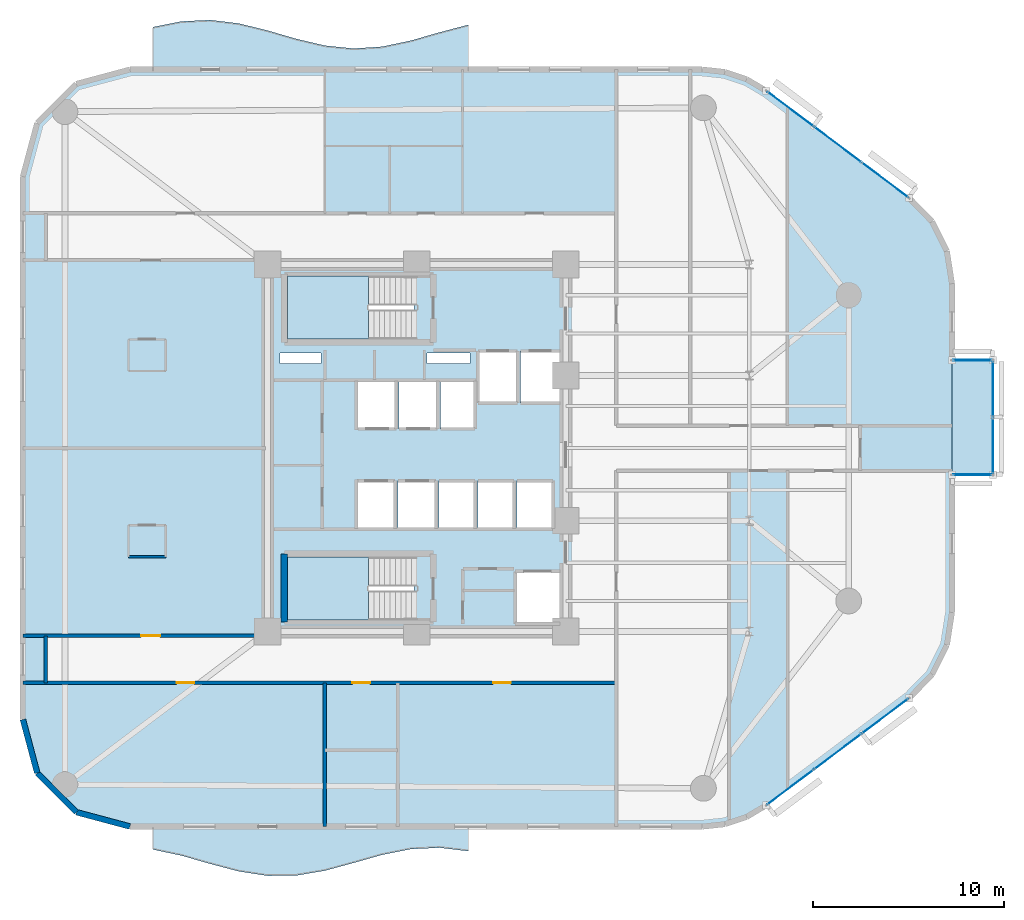
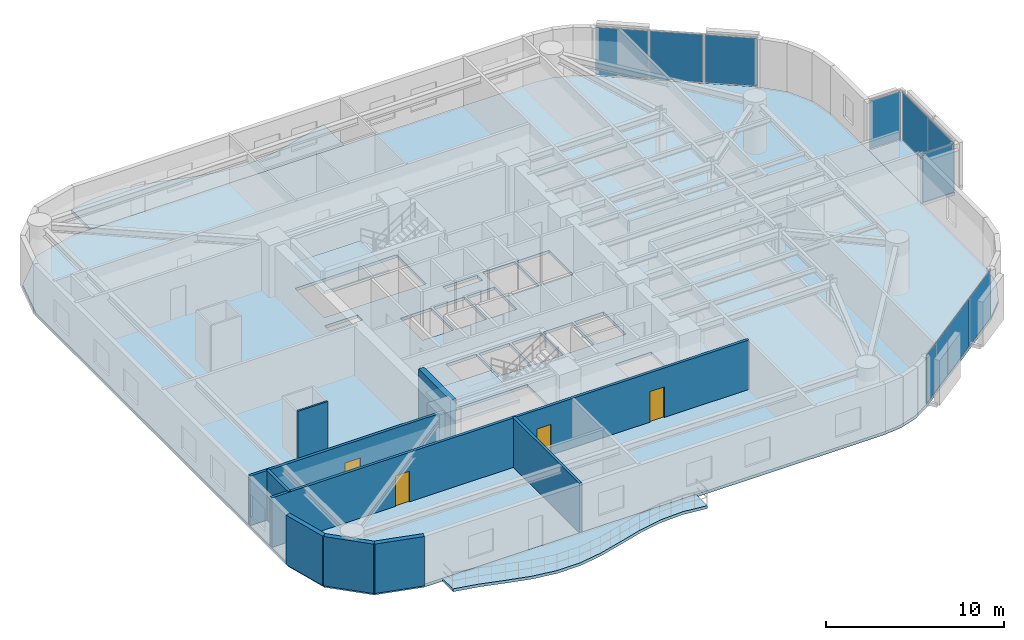
# One storey, part 7 of 14: 10 plates, 9 walls, 6 slabs, 4 doors, 4 openings, 7 elements without a shape of their own.
"""IFC4 building model written with IfcOpenShell, lengths in metres."""

from ifc_helpers import new_model, si_unit, direction, frame, frame_2d, origin, origin_2d, place, context, subcontext, project, spatial, polyline, rectangle, outline, extrude, material, layer, layer_set, type_object, element, fill, aggregate, save


model = new_model("IFC4")

# Units and contexts
model_context = context("Model", 3, precision=1e-05, world=origin(), true_north=direction((0.0, 1.0)))
body_context = subcontext(model_context, "Body", "Model", "MODEL_VIEW")
ifc_project = project(units=[si_unit("LENGTHUNIT", "METRE"), si_unit("AREAUNIT", "SQUARE_METRE"), si_unit("VOLUMEUNIT", "CUBIC_METRE"), si_unit("PLANEANGLEUNIT", "RADIAN"), si_unit("MASSUNIT", "GRAM", prefix="KILO")], contexts=[model_context])

# Site, building, storey
site_placement = place(None, origin())
site = spatial("IfcSite", under=ifc_project, at=site_placement, CompositionType="ELEMENT")
building_placement = place(site_placement, origin())
building = spatial("IfcBuilding", under=site, at=building_placement, Name="An Khanh Terracotta Commons", CompositionType="ELEMENT")
storey_placement = place(building_placement, frame((0.0, 0.0, 115.10009765625)))
storey = spatial("IfcBuildingStorey", under=building, at=storey_placement, Name="L30", CompositionType="ELEMENT", Elevation=115.10009765625)

# Curtain wall, plates
ifc_material_1 = material(Name="Anodised Aluminium 6063-T6", Category="aluminium")
ifc_layer_1 = layer(ifc_material_1, 0.199951171875, Name="Anodised Aluminium 6063-T6")
ifc_layer_set_1 = layer_set([ifc_layer_1], Name="Anodised Aluminium 6063-T6")
curtain_wall_type_1 = type_object("IfcCurtainWallType", Name="CW-SYS-02", PredefinedType="USERDEFINED", material=ifc_layer_set_1)
curtain_wall_1_placement = place(storey_placement, origin())
curtain_wall_1 = element("IfcCurtainWall", 1, at=curtain_wall_1_placement, inside=storey, type_object=curtain_wall_type_1, Name="L30 CW-02 Unitised Curtain Wall CW-L30-08", ObjectType="UNITISED CURTAIN WALL", PredefinedType="USERDEFINED")
ifc_material_2 = material(Name="Double Low-E Solar Control Glazing", Category="glass")
ifc_layer_2 = layer(ifc_material_2, 0.028076171875, Name="Double Low-E Solar Control Glazing")
ifc_layer_set_2 = layer_set([ifc_layer_2], Name="Double Low-E Solar Control Glazing")
plate_type_1 = type_object("IfcPlateType", Name="CWP-IGU-28", PredefinedType="CURTAIN_PANEL", material=ifc_layer_set_2)
plate_1_placement = place(storey_placement, frame((48.951416015625, 6.263916015625, 0.06005859375), z_axis=(0.0, 0.0, 1.0), x_axis=(0.800012856594, 0.599982857492, 0.0)))
plate_1 = element("IfcPlate", 2, at=plate_1_placement, type_object=plate_type_1, Name="CW-02 panel 1.1", PredefinedType="CURTAIN_PANEL", context=body_context, shape_type="SweptSolid", body=[
    extrude(rectangle(XDim=3.006103515625, YDim=0.028076171875, at=origin_2d()), origin(), (0.0, 0.0, 1.0), 3.280029296875),
])
plate_2_placement = place(storey_placement, frame((51.426513671875, 8.1201171875, 0.06005859375), z_axis=(0.0, 0.0, 1.0), x_axis=(0.800012856594, 0.599982857492, 0.0)))
plate_2 = element("IfcPlate", 3, at=plate_2_placement, type_object=plate_type_1, Name="CW-02 panel 2.1", PredefinedType="CURTAIN_PANEL", context=body_context, shape_type="SweptSolid", body=[
    extrude(rectangle(XDim=3.041259765625, YDim=0.028076171875, at=origin_2d()), origin(), (0.0, 0.0, 1.0), 3.280029296875),
])
plate_3_placement = place(storey_placement, frame((53.901611328125, 9.97607421875, 0.06005859375), z_axis=(0.0, 0.0, 1.0), x_axis=(0.800012856594, 0.599982857492, 0.0)))
plate_3 = element("IfcPlate", 4, at=plate_3_placement, type_object=plate_type_1, Name="CW-02 panel 3.1", PredefinedType="CURTAIN_PANEL", context=body_context, shape_type="SweptSolid", body=[
    extrude(rectangle(XDim=3.006103515625, YDim=0.028076171875, at=origin_2d()), origin(), (0.0, 0.0, 1.0), 3.280029296875),
])
aggregate(curtain_wall_1, [plate_1, plate_2, plate_3])

curtain_wall_2_placement = place(storey_placement, origin())
curtain_wall_2 = element("IfcCurtainWall", 5, at=curtain_wall_2_placement, inside=storey, type_object=curtain_wall_type_1, Name="L30 CW-02 Unitised Curtain Wall CW-L30-16", ObjectType="UNITISED CURTAIN WALL", PredefinedType="USERDEFINED")
plate_4_placement = place(storey_placement, frame((53.901611328125, 38.02392578125, 0.06005859375), z_axis=(0.0, 0.0, 1.0), x_axis=(-0.800012856594, 0.599982857492, 0.0)))
plate_4 = element("IfcPlate", 6, at=plate_4_placement, type_object=plate_type_1, Name="CW-02 panel 1.1", PredefinedType="CURTAIN_PANEL", context=body_context, shape_type="SweptSolid", body=[
    extrude(rectangle(XDim=3.006103515625, YDim=0.028076171875, at=origin_2d()), origin(), (0.0, 0.0, 1.0), 3.280029296875),
])
plate_5_placement = place(storey_placement, frame((51.426513671875, 39.8798828125, 0.06005859375), z_axis=(0.0, 0.0, 1.0), x_axis=(-0.800012856594, 0.599982857492, 0.0)))
plate_5 = element("IfcPlate", 7, at=plate_5_placement, type_object=plate_type_1, Name="CW-02 panel 2.1", PredefinedType="CURTAIN_PANEL", context=body_context, shape_type="SweptSolid", body=[
    extrude(rectangle(XDim=3.041259765625, YDim=0.028076171875, at=origin_2d()), origin(), (0.0, 0.0, 1.0), 3.280029296875),
])
plate_6_placement = place(storey_placement, frame((48.951416015625, 41.736083984375, 0.06005859375), z_axis=(0.0, 0.0, 1.0), x_axis=(-0.800012856594, 0.599982857492, 0.0)))
plate_6 = element("IfcPlate", 8, at=plate_6_placement, type_object=plate_type_1, Name="CW-02 panel 3.1", PredefinedType="CURTAIN_PANEL", context=body_context, shape_type="SweptSolid", body=[
    extrude(rectangle(XDim=3.006103515625, YDim=0.028076171875, at=origin_2d()), origin(), (0.0, 0.0, 1.0), 3.280029296875),
])
aggregate(curtain_wall_2, [plate_4, plate_5, plate_6])

ifc_layer_3 = layer(ifc_material_1, 0.239990234375, Name="Anodised Aluminium 6063-T6")
ifc_layer_set_3 = layer_set([ifc_layer_3], Name="Anodised Aluminium 6063-T6")
curtain_wall_type_2 = type_object("IfcCurtainWallType", Name="CW-SYS-04", PredefinedType="USERDEFINED", material=ifc_layer_set_3)
curtain_wall_3_placement = place(storey_placement, origin())
curtain_wall_3 = element("IfcCurtainWall", 9, at=curtain_wall_3_placement, inside=storey, type_object=curtain_wall_type_2, Name="L30 CW-04 Unitised Curtain Wall CW-L30-EBOX-1", ObjectType="UNITISED CURTAIN WALL", PredefinedType="USERDEFINED")
ifc_material_3 = material(Name="Triple-Silver Sky-Lobby Glazing", Category="glass")
ifc_layer_4 = layer(ifc_material_3, 0.0400390625, Name="Triple-Silver Sky-Lobby Glazing")
ifc_layer_set_4 = layer_set([ifc_layer_4], Name="Triple-Silver Sky-Lobby Glazing")
plate_type_2 = type_object("IfcPlateType", Name="CWP-IGU-40", PredefinedType="CURTAIN_PANEL", material=ifc_layer_set_4)
plate_7_placement = place(storey_placement, frame((59.550048828125, 24.1162109375, 0.06005859375), z_axis=(0.0, 0.0, 1.0), x_axis=(0.0, 1.0, 0.0)))
plate_7 = element("IfcPlate", 10, at=plate_7_placement, type_object=plate_type_2, Name="CW-04 panel 1.1", PredefinedType="CURTAIN_PANEL", context=body_context, shape_type="SweptSolid", body=[
    extrude(rectangle(XDim=2.902587890625, YDim=0.0400390625, at=origin_2d()), origin(), (0.0, 0.0, 1.0), 3.280029296875),
])
plate_8_placement = place(storey_placement, frame((59.550048828125, 27.083740234375, 0.06005859375), z_axis=(0.0, 0.0, 1.0), x_axis=(0.0, 1.0, 0.0)))
plate_8 = element("IfcPlate", 11, at=plate_8_placement, type_object=plate_type_2, Name="CW-04 panel 2.1", PredefinedType="CURTAIN_PANEL", context=body_context, shape_type="SweptSolid", body=[
    extrude(rectangle(XDim=2.902587890625, YDim=0.0400390625, at=origin_2d()), origin(), (0.0, 0.0, 1.0), 3.280029296875),
])
aggregate(curtain_wall_3, [plate_7, plate_8])

# Curtain wall, plate
curtain_wall_4_placement = place(storey_placement, origin())
curtain_wall_4 = element("IfcCurtainWall", 12, at=curtain_wall_4_placement, inside=storey, type_object=curtain_wall_type_2, Name="L30 CW-04 Unitised Curtain Wall CW-L30-EBOX-2", ObjectType="UNITISED CURTAIN WALL", PredefinedType="USERDEFINED")
plate_9_placement = place(storey_placement, frame((58.47509765625, 22.60009765625, 0.06005859375), z_axis=(0.0, 0.0, 1.0), x_axis=(1.0, 0.0, 0.0)))
plate_9 = element("IfcPlate", 13, at=plate_9_placement, type_object=plate_type_2, Name="CW-04 panel 1.1", PredefinedType="CURTAIN_PANEL", context=body_context, shape_type="SweptSolid", body=[
    extrude(rectangle(XDim=2.02001953125, YDim=0.0400390625, at=origin_2d()), origin(), (0.0, 0.0, 1.0), 3.280029296875),
])
aggregate(curtain_wall_4, [plate_9])

curtain_wall_5_placement = place(storey_placement, origin())
curtain_wall_5 = element("IfcCurtainWall", 14, at=curtain_wall_5_placement, inside=storey, type_object=curtain_wall_type_2, Name="L30 CW-04 Unitised Curtain Wall CW-L30-EBOX-3", ObjectType="UNITISED CURTAIN WALL", PredefinedType="USERDEFINED")
plate_10_placement = place(storey_placement, frame((58.47509765625, 28.60009765625, 0.06005859375), z_axis=(0.0, 0.0, 1.0), x_axis=(-1.0, 0.0, 0.0)))
plate_10 = element("IfcPlate", 15, at=plate_10_placement, type_object=plate_type_2, Name="CW-04 panel 1.1", PredefinedType="CURTAIN_PANEL", context=body_context, shape_type="SweptSolid", body=[
    extrude(rectangle(XDim=2.02001953125, YDim=0.0400390625, at=origin_2d()), origin(), (0.0, 0.0, 1.0), 3.280029296875),
])
aggregate(curtain_wall_5, [plate_10])

# Slabs
ifc_material_4 = material(Name="Concrete C40/50", Category="concrete")
ifc_layer_5 = layer(ifc_material_4, 0.199951171875, Name="Concrete C40/50")
ifc_layer_set_5 = layer_set([ifc_layer_5], Name="Concrete C40/50")
slab_type_1 = type_object("IfcSlabType", Name="SLAB-BALC-200", PredefinedType="FLOOR", material=ifc_layer_set_5)
slab_1_placement = place(storey_placement, frame((0.0, 0.0, -0.2001953125)))
element("IfcSlab", 16, at=slab_1_placement, inside=storey, type_object=slab_type_1, Name="L30 S Sinusoidal Wave Balcony Slab", PredefinedType="FLOOR", context=body_context, shape_type="SweptSolid", body=[
    extrude(outline(polyline([(15.60009765625, 4.199951171875), (15.60009765625, 3.0), (17.10009765625, 2.681884765625), (18.60009765625, 2.251953125), (20.10009765625, 1.85498046875), (21.60009765625, 1.6259765625), (23.10009765625, 1.639892578125), (24.60009765625, 1.89306640625), (26.10009765625, 2.301025390625), (27.60009765625, 2.72509765625), (29.10009765625, 3.02294921875), (30.60009765625, 3.093994140625), (32.10009765625, 2.9140625), (32.10009765625, 4.199951171875), (15.60009765625, 4.199951171875)])), origin(), (0.0, 0.0, 1.0), 0.2001953125),
])
slab_2_placement = place(storey_placement, frame((0.0, 0.0, -0.2001953125)))
element("IfcSlab", 17, at=slab_2_placement, inside=storey, type_object=slab_type_1, Name="L30 N Sinusoidal Wave Balcony Slab", PredefinedType="FLOOR", context=body_context, shape_type="SweptSolid", body=[
    extrude(outline(polyline([(32.10009765625, 43.800048828125), (32.10009765625, 46.14501953125), (30.60009765625, 45.748046875), (29.10009765625, 45.318115234375), (27.60009765625, 45.0), (26.10009765625, 44.902099609375), (24.60009765625, 45.054931640625), (23.10009765625, 45.408935546875), (21.60009765625, 45.843994140625), (20.10009765625, 46.214111328125), (18.60009765625, 46.39404296875), (17.10009765625, 46.322998046875), (15.60009765625, 46.02490234375), (15.60009765625, 43.800048828125), (32.10009765625, 43.800048828125)])), origin(), (0.0, 0.0, 1.0), 0.2001953125),
])

# Stair, slab
ifc_material_5 = material(Name="Precast concrete C40/50", Category="concrete")
stair_type = type_object("IfcStairType", Name="STAIR-CORE-1550", PredefinedType="HALF_TURN_STAIR", material=ifc_material_5)
stair_1_placement = place(storey_placement, origin())
stair_1 = element("IfcStair", 18, at=stair_1_placement, inside=storey, type_object=stair_type, Name="L30 Core Smokeproof Exit Stair ST-01", PredefinedType="HALF_TURN_STAIR")
ifc_layer_6 = layer(ifc_material_4, 0.18994140625, Name="Concrete C40/50")
ifc_layer_set_6 = layer_set([ifc_layer_6], Name="Concrete C40/50")
slab_type_2 = type_object("IfcSlabType", Name="SLAB-LANDING-190", PredefinedType="LANDING", material=ifc_layer_set_6)
slab_3_placement = place(storey_placement, frame((0.0, 0.0, 1.599853515625)))
slab_3 = element("IfcSlab", 19, at=slab_3_placement, type_object=slab_type_2, Name="ST-01 landing 1", PredefinedType="LANDING", context=body_context, shape_type="SweptSolid", body=[
    extrude(outline(polyline([(26.889892578125, 33.0), (22.64990234375, 33.0), (22.64990234375, 29.699951171875), (26.889892578125, 29.699951171875), (26.889892578125, 33.0)])), origin(), (0.0, 0.0, 1.0), 0.199951171875),
])
aggregate(stair_1, [slab_3])

stair_2_placement = place(storey_placement, origin())
stair_2 = element("IfcStair", 20, at=stair_2_placement, inside=storey, type_object=stair_type, Name="L30 Core Smokeproof Exit Stair ST-02", PredefinedType="HALF_TURN_STAIR")
slab_4_placement = place(storey_placement, frame((0.0, 0.0, 1.599853515625)))
slab_4 = element("IfcSlab", 21, at=slab_4_placement, type_object=slab_type_2, Name="ST-02 landing 1", PredefinedType="LANDING", context=body_context, shape_type="SweptSolid", body=[
    extrude(outline(polyline([(26.889892578125, 18.300048828125), (22.64990234375, 18.300048828125), (22.64990234375, 15.0), (26.889892578125, 15.0), (26.889892578125, 18.300048828125)])), origin(), (0.0, 0.0, 1.0), 0.199951171875),
])
aggregate(stair_2, [slab_4])

# Slabs
ifc_layer_7 = layer(ifc_material_4, 0.199951171875, Name="Concrete C40/50")
ifc_layer_set_7 = layer_set([ifc_layer_7], Name="Concrete C40/50")
slab_type_3 = type_object("IfcSlabType", Name="SLAB-TYP-200", PredefinedType="FLOOR", material=ifc_layer_set_7)
slab_5_placement = place(storey_placement, frame((0.0, 0.0, -0.2001953125)))
element("IfcSlab", 22, at=slab_5_placement, inside=storey, type_object=slab_type_3, Name="L30 Structural Floor Slab", PredefinedType="FLOOR", context=body_context, shape_type="SweptSolid", body=[
    extrude(outline(polyline([(8.800048828125, 9.800048828125), (9.550048828125, 7.0), (11.60009765625, 4.949951171875), (14.39990234375, 4.199951171875), (44.3330078125, 4.199951171875), (45.52490234375, 4.327880859375), (46.6630859375, 4.70703125), (47.693115234375, 5.320068359375), (55.159912109375, 10.919921875), (56.364013671875, 12.154052734375), (57.135009765625, 13.696044921875), (57.39990234375, 15.39990234375), (57.39990234375, 32.60009765625), (57.135009765625, 34.303955078125), (56.364013671875, 35.845947265625), (55.159912109375, 37.080078125), (47.693115234375, 42.679931640625), (46.6630859375, 43.29296875), (45.52490234375, 43.672119140625), (44.3330078125, 43.800048828125), (14.39990234375, 43.800048828125), (11.60009765625, 43.050048828125), (9.550048828125, 41.0), (8.800048828125, 38.199951171875), (8.800048828125, 9.800048828125)]), holes=[polyline([(22.64990234375, 29.699951171875), (29.27001953125, 29.699951171875), (29.27001953125, 33.0), (22.64990234375, 33.0), (22.64990234375, 29.699951171875)]), polyline([(22.64990234375, 15.0), (29.27001953125, 15.0), (29.27001953125, 18.300048828125), (22.64990234375, 18.300048828125), (22.64990234375, 15.0)]), polyline([(32.60009765625, 26.35009765625), (34.679931640625, 26.35009765625), (34.679931640625, 29.080078125), (32.60009765625, 29.080078125), (32.60009765625, 26.35009765625)]), polyline([(34.820068359375, 26.35009765625), (36.89990234375, 26.35009765625), (36.89990234375, 29.080078125), (34.820068359375, 29.080078125), (34.820068359375, 26.35009765625)]), polyline([(34.550048828125, 14.800048828125), (36.89990234375, 14.800048828125), (36.89990234375, 17.550048828125), (34.550048828125, 17.550048828125), (34.550048828125, 14.800048828125)]), polyline([(26.320068359375, 25.0), (28.340087890625, 25.0), (28.340087890625, 27.5), (26.320068359375, 27.5), (26.320068359375, 25.0)]), polyline([(28.47998046875, 25.0), (30.5, 25.0), (30.5, 27.5), (28.47998046875, 27.5), (28.47998046875, 25.0)]), polyline([(26.280029296875, 19.800048828125), (28.280029296875, 19.800048828125), (28.280029296875, 22.300048828125), (26.280029296875, 22.300048828125), (26.280029296875, 19.800048828125)]), polyline([(28.419921875, 19.800048828125), (30.419921875, 19.800048828125), (30.419921875, 22.300048828125), (28.419921875, 22.300048828125), (28.419921875, 19.800048828125)]), polyline([(30.639892578125, 25.0), (32.4599609375, 25.0), (32.4599609375, 27.5), (30.639892578125, 27.5), (30.639892578125, 25.0)]), polyline([(30.56005859375, 19.800048828125), (32.4599609375, 19.800048828125), (32.4599609375, 22.300048828125), (30.56005859375, 22.300048828125), (30.56005859375, 19.800048828125)]), polyline([(32.60009765625, 19.800048828125), (34.5, 19.800048828125), (34.5, 22.300048828125), (32.60009765625, 22.300048828125), (32.60009765625, 19.800048828125)]), polyline([(34.639892578125, 19.800048828125), (36.5400390625, 19.800048828125), (36.5400390625, 22.300048828125), (34.639892578125, 22.300048828125), (34.639892578125, 19.800048828125)]), polyline([(22.25, 28.419921875), (24.39990234375, 28.419921875), (24.39990234375, 28.97998046875), (22.25, 28.97998046875), (22.25, 28.419921875)]), polyline([(29.949951171875, 28.419921875), (32.199951171875, 28.419921875), (32.199951171875, 28.97998046875), (29.949951171875, 28.97998046875), (29.949951171875, 28.419921875)])]), origin(), (0.0, 0.0, 1.0), 0.2001953125),
])
slab_6_placement = place(storey_placement, frame((0.0, 0.0, -0.2001953125)))
element("IfcSlab", 23, at=slab_6_placement, inside=storey, type_object=slab_type_3, Name="L30 Shifted Social Kitchen Box Floor Slab", PredefinedType="FLOOR", context=body_context, shape_type="SweptSolid", body=[
    extrude(outline(polyline([(57.39990234375, 22.60009765625), (59.550048828125, 22.60009765625), (59.550048828125, 28.60009765625), (57.39990234375, 28.60009765625), (57.39990234375, 22.60009765625)])), origin(), (0.0, 0.0, 1.0), 0.2001953125),
])

# Wall, openings, doors
ifc_material_6 = material(Name="Fire-Rated Gypsum Board on Steel Stud", Category="steel")
ifc_layer_8 = layer(ifc_material_6, 0.179931640625, Name="Fire-Rated Gypsum Board on Steel Stud")
ifc_layer_set_8 = layer_set([ifc_layer_8], Name="Fire-Rated Gypsum Board on Steel Stud")
wall_type_1 = type_object("IfcWallType", Name="WALL-CORR-180", PredefinedType="PARTITIONING", material=ifc_layer_set_8)
wall_1_placement = place(storey_placement, frame((8.800048828125, 11.719970703125, 0.0), z_axis=(0.0, 0.0, 1.0), x_axis=(1.0, 0.0, 0.0)))
wall_1 = element("IfcWall", 24, at=wall_1_placement, inside=storey, type_object=wall_type_1, Name="L30 Interior Partition IW-L30-E002", PredefinedType="PARTITIONING", context=body_context, shape_type="SweptSolid", body=[
    extrude(rectangle(XDim=31.050048828125, YDim=0.179931640625, at=frame_2d((15.52490234375, 0.0))), origin(), (0.0, 0.0, 1.0), 3.39990234375),
])
opening_1_placement = place(wall_1_placement, frame((17.239990234375, 0.0, 0.0)))
opening_1 = element("IfcOpeningElement", 25, at=opening_1_placement, cuts=wall_1, Name="Opening D-RM", PredefinedType="OPENING", context=body_context, shape_type="SweptSolid", body=[
    extrude(rectangle(XDim=0.919921875, YDim=2.10009765625, at=frame_2d((0.4599609375, 1.050048828125))), frame((0.0, 0.099853515625, 0.0), z_axis=(0.0, -1.0, 0.0), x_axis=(1.0, 0.0, 0.0)), (0.0, 0.0, 1.0), 0.199951171875),
])
opening_2_placement = place(wall_1_placement, frame((8.0400390625, 0.0, 0.0)))
opening_2 = element("IfcOpeningElement", 26, at=opening_2_placement, cuts=wall_1, Name="Opening D-RM", PredefinedType="OPENING", context=body_context, shape_type="SweptSolid", body=[
    extrude(rectangle(XDim=0.919921875, YDim=2.10009765625, at=frame_2d((0.4599609375, 1.050048828125))), frame((0.0, 0.099853515625, 0.0), z_axis=(0.0, -1.0, 0.0), x_axis=(1.0, 0.0, 0.0)), (0.0, 0.0, 1.0), 0.199951171875),
])
opening_3_placement = place(wall_1_placement, frame((24.60498046875, 0.0, 0.0)))
opening_3 = element("IfcOpeningElement", 27, at=opening_3_placement, cuts=wall_1, Name="Opening D-RM", PredefinedType="OPENING", context=body_context, shape_type="SweptSolid", body=[
    extrude(rectangle(XDim=0.919921875, YDim=2.10009765625, at=frame_2d((0.4599609375, 1.050048828125))), frame((0.0, 0.099853515625, 0.0), z_axis=(0.0, -1.0, 0.0), x_axis=(1.0, 0.0, 0.0)), (0.0, 0.0, 1.0), 0.199951171875),
])
ifc_material_7 = material(Name="Engineered Hardwood Timber Leaf", Category="wood")
door_type_1 = type_object("IfcDoorType", Name="DOOR-INT-920", OperationType="NOTDEFINED", PredefinedType="DOOR", material=ifc_material_7)
door_1_placement = place(opening_1_placement, origin())
door_1 = element("IfcDoor", 28, at=door_1_placement, inside=storey, type_object=door_type_1, Name="L30 HKP Housekeeping Linen Store Door", OperationType="SINGLE_SWING_RIGHT", OverallHeight=2.10009765625, OverallWidth=0.919921875, PredefinedType="DOOR", context=body_context, shape_type="SweptSolid", body=[
    extrude(rectangle(XDim=0.919921875, YDim=2.10009765625, at=frame_2d((0.4599609375, 1.050048828125))), frame((0.0, 0.02490234375, 0.0), z_axis=(0.0, -1.0, 0.0), x_axis=(1.0, 0.0, 0.0)), (0.0, 0.0, 1.0), 0.050048828125),
])
fill(opening_1, door_1)
door_2_placement = place(opening_2_placement, origin())
door_2 = element("IfcDoor", 29, at=door_2_placement, inside=storey, type_object=door_type_1, Name="L30 SW1 Research Study Office Door", OperationType="SINGLE_SWING_RIGHT", OverallHeight=2.10009765625, OverallWidth=0.919921875, PredefinedType="DOOR", context=body_context, shape_type="SweptSolid", body=[
    extrude(rectangle(XDim=0.919921875, YDim=2.10009765625, at=frame_2d((0.4599609375, 1.050048828125))), frame((0.0, 0.02490234375, 0.0), z_axis=(0.0, -1.0, 0.0), x_axis=(1.0, 0.0, 0.0)), (0.0, 0.0, 1.0), 0.050048828125),
])
fill(opening_2, door_2)
door_3_placement = place(opening_3_placement, origin())
door_3 = element("IfcDoor", 30, at=door_3_placement, inside=storey, type_object=door_type_1, Name="L30 SWE Research Study Office Door", OperationType="SINGLE_SWING_LEFT", OverallHeight=2.10009765625, OverallWidth=0.919921875, PredefinedType="DOOR", context=body_context, shape_type="SweptSolid", body=[
    extrude(rectangle(XDim=0.919921875, YDim=2.10009765625, at=frame_2d((0.4599609375, 1.050048828125))), frame((0.0, 0.02490234375, 0.0), z_axis=(0.0, -1.0, 0.0), x_axis=(1.0, 0.0, 0.0)), (0.0, 0.0, 1.0), 0.050048828125),
])
fill(opening_3, door_3)

# Wall, opening, door
wall_2_placement = place(storey_placement, frame((8.800048828125, 14.179931640625, 0.0), z_axis=(0.0, 0.0, 1.0), x_axis=(1.0, 0.0, 0.0)))
wall_2 = element("IfcWall", 31, at=wall_2_placement, inside=storey, type_object=wall_type_1, Name="L30 Interior Partition IW-L30-E003", PredefinedType="PARTITIONING", context=body_context, shape_type="SweptSolid", body=[
    extrude(rectangle(XDim=12.679931640625, YDim=0.179931640625, at=frame_2d((6.33984375, 0.0))), origin(), (0.0, 0.0, 1.0), 3.39990234375),
])
opening_4_placement = place(wall_2_placement, frame((6.179931640625, 0.0, 0.0)))
opening_4 = element("IfcOpeningElement", 32, at=opening_4_placement, cuts=wall_2, Name="Opening D-UN", PredefinedType="OPENING", context=body_context, shape_type="SweptSolid", body=[
    extrude(rectangle(XDim=1.0, YDim=2.14990234375, at=frame_2d((0.5, 1.074951171875))), frame((0.0, 0.099853515625, 0.0), z_axis=(0.0, -1.0, 0.0), x_axis=(1.0, 0.0, 0.0)), (0.0, 0.0, 1.0), 0.199951171875),
])
ifc_material_8 = material(Name="Solid-Core Hardwood Acoustic Fire Door", Category="wood")
door_type_2 = type_object("IfcDoorType", Name="DOOR-UNIT-1000", OperationType="NOTDEFINED", PredefinedType="DOOR", material=ifc_material_8)
door_4_placement = place(opening_4_placement, origin())
door_4 = element("IfcDoor", 33, at=door_4_placement, inside=storey, type_object=door_type_2, Name="L30 WW1 Kitchenette and Studio Apartment Door", OperationType="SINGLE_SWING_RIGHT", OverallHeight=2.14990234375, OverallWidth=1.0, PredefinedType="DOOR", context=body_context, shape_type="SweptSolid", body=[
    extrude(rectangle(XDim=1.0, YDim=2.14990234375, at=frame_2d((0.5, 1.074951171875))), frame((0.0, 0.02490234375, 0.0), z_axis=(0.0, -1.0, 0.0), x_axis=(1.0, 0.0, 0.0)), (0.0, 0.0, 1.0), 0.050048828125),
])
fill(opening_4, door_4)

# Walls
wall_3_placement = place(storey_placement, frame((10.0, 11.719970703125, 0.0), z_axis=(0.0, 0.0, 1.0), x_axis=(0.0, 1.0, 0.0)))
element("IfcWall", 34, at=wall_3_placement, inside=storey, type_object=wall_type_1, Name="L30 Interior Partition IW-L30-E010", PredefinedType="PARTITIONING", context=body_context, shape_type="SweptSolid", body=[
    extrude(rectangle(XDim=2.4599609375, YDim=0.179931640625, at=frame_2d((1.22998046875, 0.0))), origin(), (0.0, 0.0, 1.0), 3.39990234375),
])
wall_4_placement = place(storey_placement, frame((24.60009765625, 4.199951171875, 0.0), z_axis=(0.0, 0.0, 1.0), x_axis=(0.0, 1.0, 0.0)))
element("IfcWall", 35, at=wall_4_placement, inside=storey, type_object=wall_type_1, Name="L30 Interior Partition IW-L30-E012", PredefinedType="PARTITIONING", context=body_context, shape_type="SweptSolid", body=[
    extrude(rectangle(XDim=7.52001953125, YDim=0.179931640625, at=frame_2d((3.760009765625, 0.0))), origin(), (0.0, 0.0, 1.0), 3.39990234375),
])
ifc_layer_9 = layer(ifc_material_5, 0.300048828125, Name="Precast concrete C40/50")
ifc_layer_set_9 = layer_set([ifc_layer_9], Name="Precast concrete C40/50")
wall_type_2 = type_object("IfcWallType", Name="WALL-EXT-300", PredefinedType="SOLIDWALL", material=ifc_layer_set_9)
wall_5_placement = place(storey_placement, frame((8.800048828125, 9.800048828125, 0.0), z_axis=(0.0, 0.0, 1.0), x_axis=(0.258731875344, -0.96594917914, 0.0)))
element("IfcWall", 36, at=wall_5_placement, inside=storey, type_object=wall_type_2, Name="L30 Insulated Terracotta Exterior Wall 1", PredefinedType="SOLIDWALL", context=body_context, shape_type="SweptSolid", body=[
    extrude(rectangle(XDim=2.898681640625, YDim=0.300048828125, at=frame_2d((1.44921875, 0.0))), origin(), (0.0, 0.0, 1.0), 3.39990234375),
])
wall_6_placement = place(storey_placement, frame((9.550048828125, 7.0, 0.0), z_axis=(0.0, 0.0, 1.0), x_axis=(0.707106781187, -0.707106781187, 0.0)))
element("IfcWall", 37, at=wall_6_placement, inside=storey, type_object=wall_type_2, Name="L30 Insulated Terracotta Exterior Wall 2", PredefinedType="SOLIDWALL", context=body_context, shape_type="SweptSolid", body=[
    extrude(rectangle(XDim=2.899169921875, YDim=0.300048828125, at=frame_2d((1.44970703125, 0.0))), origin(), (0.0, 0.0, 1.0), 3.39990234375),
])
wall_7_placement = place(storey_placement, frame((11.60009765625, 4.949951171875, 0.0), z_axis=(0.0, 0.0, 1.0), x_axis=(0.965943540406, -0.258752926066, 0.0)))
element("IfcWall", 38, at=wall_7_placement, inside=storey, type_object=wall_type_2, Name="L30 Insulated Terracotta Exterior Wall 3", PredefinedType="SOLIDWALL", context=body_context, shape_type="SweptSolid", body=[
    extrude(rectangle(XDim=2.8984375, YDim=0.300048828125, at=frame_2d((1.44921875, 0.0))), origin(), (0.0, 0.0, 1.0), 3.39990234375),
])
ifc_material_9 = material(Name="Concrete C50/60", Category="concrete")
ifc_layer_10 = layer(ifc_material_9, 0.35009765625, Name="Concrete C50/60")
ifc_layer_set_10 = layer_set([ifc_layer_10], Name="Concrete C50/60")
wall_type_3 = type_object("IfcWallType", Name="WALL-SHAFT-350", PredefinedType="SOLIDWALL", material=ifc_layer_set_10)
wall_8_placement = place(storey_placement, frame((22.47998046875, 14.889892578125, 0.0), z_axis=(0.0, 0.0, 1.0), x_axis=(0.0, 1.0, 0.0)))
element("IfcWall", 39, at=wall_8_placement, inside=storey, type_object=wall_type_3, Name="L30 Core Wall STW-L30-S-W", PredefinedType="SOLIDWALL", context=body_context, shape_type="SweptSolid", body=[
    extrude(rectangle(XDim=3.580078125, YDim=0.35009765625, at=frame_2d((1.7900390625, 0.0))), origin(), (0.0, 0.0, 1.0), 3.39990234375),
])
ifc_material_10 = material(Name="Moisture-Resistant Cement Board Partition")
ifc_layer_11 = layer(ifc_material_10, 0.1201171875, Name="Moisture-Resistant Cement Board Partition")
ifc_layer_set_11 = layer_set([ifc_layer_11], Name="Moisture-Resistant Cement Board Partition")
wall_type_4 = type_object("IfcWallType", Name="WALL-WET-120", PredefinedType="PARTITIONING", material=ifc_layer_set_11)
wall_9_placement = place(storey_placement, frame((16.27490234375, 18.31494140625, 0.0), z_axis=(0.0, 0.0, 1.0), x_axis=(-1.0, 0.0, 0.0)))
element("IfcWall", 40, at=wall_9_placement, inside=storey, type_object=wall_type_4, Name="L30 Interior Partition IW-L30-WW1-BS", PredefinedType="PARTITIONING", context=body_context, shape_type="SweptSolid", body=[
    extrude(rectangle(XDim=1.949951171875, YDim=0.1201171875, at=frame_2d((0.97509765625, 0.0))), origin(), (0.0, 0.0, 1.0), 3.39990234375),
])

save(model, "model.ifc")
